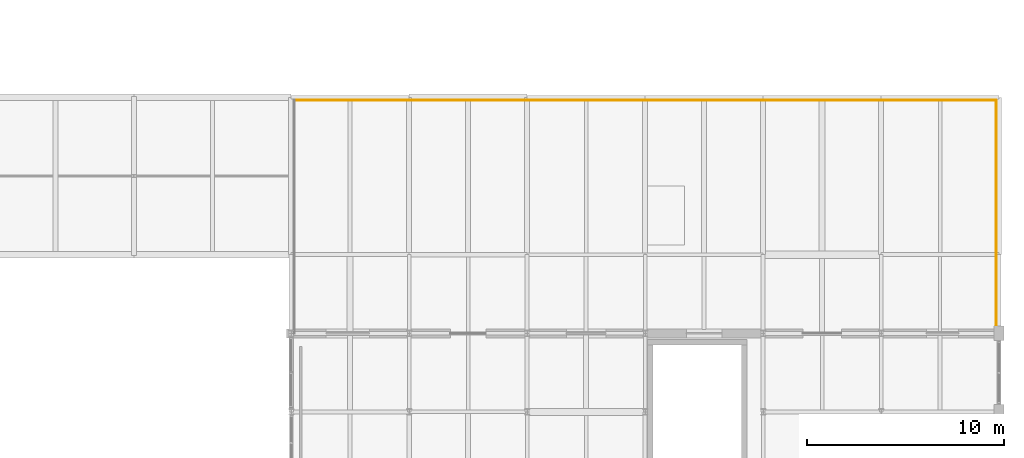
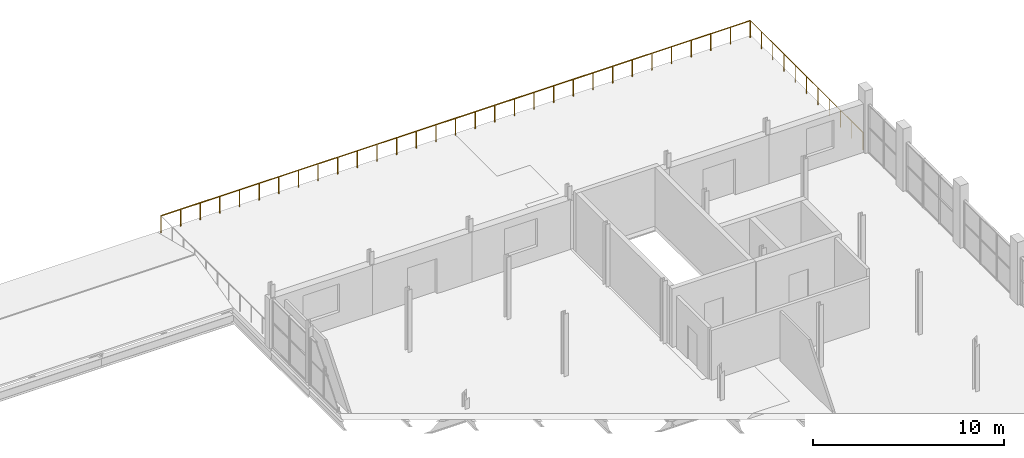
# One storey, part 96 of 96: 2 railings.
"""IFC4 building model written with IfcOpenShell, lengths in metres."""

from ifc_helpers import new_model, si_unit, direction, frame, origin, origin_2d, place, context, subcontext, project, spatial, circle, extrude, material, type_object, element, save


model = new_model("IFC4")

# Units and contexts
model_context = context("Model", 3, precision=1e-05, world=origin(), true_north=direction((0.0, 1.0)))
body_context = subcontext(model_context, "Body", "Model", "MODEL_VIEW")
ifc_project = project(units=[si_unit("LENGTHUNIT", "METRE"), si_unit("AREAUNIT", "SQUARE_METRE"), si_unit("VOLUMEUNIT", "CUBIC_METRE"), si_unit("PLANEANGLEUNIT", "RADIAN"), si_unit("MASSUNIT", "GRAM", prefix="KILO")], contexts=[model_context])

# Site, building, storey
site_placement = place(None, origin())
site = spatial("IfcSite", under=ifc_project, at=site_placement, CompositionType="ELEMENT")
building_placement = place(site_placement, origin())
building = spatial("IfcBuilding", under=site, at=building_placement, Name="Verrall Gate Interchange", CompositionType="ELEMENT")
storey_placement = place(building_placement, frame((0.0, 0.0, 11.39990234375)))
storey = spatial("IfcBuildingStorey", under=building, at=storey_placement, Name="L03", CompositionType="ELEMENT", Elevation=11.39990234375)

# Railings
ifc_material_1 = material(Name="Tyndall Dolomitic Limestone Ashlar Cavity Assembly (U=0.18)", Category="masonry")
railing_type_1 = type_object("IfcRailingType", Name="BL-01 Classical Stone Balustrade 1120", PredefinedType="BALUSTRADE", material=ifc_material_1)
railing_1_placement = place(storey_placement, frame((167.85009765625, 55.85009765625, 0.0)))
element("IfcRailing", 1, at=railing_1_placement, inside=storey, type_object=railing_type_1, Name="L03 Planted Roof Garden Guardrail 06", PredefinedType="BALUSTRADE", context=body_context, shape_type="SweptSolid", body=[
    extrude(circle(Radius=0.02392578125, at=origin_2d()), frame((0.0, 0.0, 1.09619140625), z_axis=(0.0, -1.0, 0.0), x_axis=(1.0, 0.0, 0.0)), (0.0, 0.0, 1.0), 11.85009765625),
    extrude(circle(Radius=0.02099609375, at=origin_2d()), origin(), (0.0, 0.0, 1.0), 1.072021484375),
    extrude(circle(Radius=0.02099609375, at=origin_2d()), frame((0.0, -1.18505859375, 0.0)), (0.0, 0.0, 1.0), 1.072021484375),
    extrude(circle(Radius=0.02099609375, at=origin_2d()), frame((0.0, -2.3701171875, 0.0)), (0.0, 0.0, 1.0), 1.072021484375),
    extrude(circle(Radius=0.02099609375, at=origin_2d()), frame((0.0, -3.554931640625, 0.0)), (0.0, 0.0, 1.0), 1.072021484375),
    extrude(circle(Radius=0.02099609375, at=origin_2d()), frame((0.0, -4.739990234375, 0.0)), (0.0, 0.0, 1.0), 1.072021484375),
    extrude(circle(Radius=0.02099609375, at=origin_2d()), frame((0.0, -5.925048828125, 0.0)), (0.0, 0.0, 1.0), 1.072021484375),
    extrude(circle(Radius=0.02099609375, at=origin_2d()), frame((0.0, -7.110107421875, 0.0)), (0.0, 0.0, 1.0), 1.072021484375),
    extrude(circle(Radius=0.02099609375, at=origin_2d()), frame((0.0, -8.295166015625, 0.0)), (0.0, 0.0, 1.0), 1.072021484375),
    extrude(circle(Radius=0.02099609375, at=origin_2d()), frame((0.0, -9.47998046875, 0.0)), (0.0, 0.0, 1.0), 1.072021484375),
    extrude(circle(Radius=0.02099609375, at=origin_2d()), frame((0.0, -10.6650390625, 0.0)), (0.0, 0.0, 1.0), 1.072021484375),
    extrude(circle(Radius=0.02099609375, at=origin_2d()), frame((0.0, -11.85009765625, 0.0)), (0.0, 0.0, 1.0), 1.072021484375),
])
ifc_material_2 = material(Name="Architectural Bronze Anodized Aluminium Guardrail Assembly", Category="aluminium")
railing_type_2 = type_object("IfcRailingType", Name="GR-01 Roof Terrace Guardrail 1100", PredefinedType="GUARDRAIL", material=ifc_material_2)
railing_2_placement = place(storey_placement, frame((132.14990234375, 55.85009765625, 0.0)))
element("IfcRailing", 2, at=railing_2_placement, inside=storey, type_object=railing_type_2, Name="L03 Planted Roof Garden Guardrail 05", PredefinedType="GUARDRAIL", context=body_context, shape_type="SweptSolid", body=[
    extrude(circle(Radius=0.02392578125, at=origin_2d()), frame((0.0, 0.0, 1.076171875), z_axis=(1.0, 0.0, 0.0), x_axis=(0.0, 1.0, 0.0)), (0.0, 0.0, 1.0), 35.7001953125),
    extrude(circle(Radius=0.02099609375, at=origin_2d()), origin(), (0.0, 0.0, 1.0), 1.052001953125),
    extrude(circle(Radius=0.02099609375, at=origin_2d()), frame((1.18994140625, 0.0, 0.0)), (0.0, 0.0, 1.0), 1.052001953125),
    extrude(circle(Radius=0.02099609375, at=origin_2d()), frame((2.380126953125, 0.0, 0.0)), (0.0, 0.0, 1.0), 1.052001953125),
    extrude(circle(Radius=0.02099609375, at=origin_2d()), frame((3.570068359375, 0.0, 0.0)), (0.0, 0.0, 1.0), 1.052001953125),
    extrude(circle(Radius=0.02099609375, at=origin_2d()), frame((4.760009765625, 0.0, 0.0)), (0.0, 0.0, 1.0), 1.052001953125),
    extrude(circle(Radius=0.02099609375, at=origin_2d()), frame((5.949951171875, 0.0, 0.0)), (0.0, 0.0, 1.0), 1.052001953125),
    extrude(circle(Radius=0.02099609375, at=origin_2d()), frame((7.14013671875, 0.0, 0.0)), (0.0, 0.0, 1.0), 1.052001953125),
    extrude(circle(Radius=0.02099609375, at=origin_2d()), frame((8.330078125, 0.0, 0.0)), (0.0, 0.0, 1.0), 1.052001953125),
    extrude(circle(Radius=0.02099609375, at=origin_2d()), frame((9.52001953125, 0.0, 0.0)), (0.0, 0.0, 1.0), 1.052001953125),
    extrude(circle(Radius=0.02099609375, at=origin_2d()), frame((10.7099609375, 0.0, 0.0)), (0.0, 0.0, 1.0), 1.052001953125),
    extrude(circle(Radius=0.02099609375, at=origin_2d()), frame((11.900146484375, 0.0, 0.0)), (0.0, 0.0, 1.0), 1.052001953125),
    extrude(circle(Radius=0.02099609375, at=origin_2d()), frame((13.090087890625, 0.0, 0.0)), (0.0, 0.0, 1.0), 1.052001953125),
    extrude(circle(Radius=0.02099609375, at=origin_2d()), frame((14.280029296875, 0.0, 0.0)), (0.0, 0.0, 1.0), 1.052001953125),
    extrude(circle(Radius=0.02099609375, at=origin_2d()), frame((15.469970703125, 0.0, 0.0)), (0.0, 0.0, 1.0), 1.052001953125),
    extrude(circle(Radius=0.02099609375, at=origin_2d()), frame((16.66015625, 0.0, 0.0)), (0.0, 0.0, 1.0), 1.052001953125),
    extrude(circle(Radius=0.02099609375, at=origin_2d()), frame((17.85009765625, 0.0, 0.0)), (0.0, 0.0, 1.0), 1.052001953125),
    extrude(circle(Radius=0.02099609375, at=origin_2d()), frame((19.0400390625, 0.0, 0.0)), (0.0, 0.0, 1.0), 1.052001953125),
    extrude(circle(Radius=0.02099609375, at=origin_2d()), frame((20.230224609375, 0.0, 0.0)), (0.0, 0.0, 1.0), 1.052001953125),
    extrude(circle(Radius=0.02099609375, at=origin_2d()), frame((21.420166015625, 0.0, 0.0)), (0.0, 0.0, 1.0), 1.052001953125),
    extrude(circle(Radius=0.02099609375, at=origin_2d()), frame((22.610107421875, 0.0, 0.0)), (0.0, 0.0, 1.0), 1.052001953125),
    extrude(circle(Radius=0.02099609375, at=origin_2d()), frame((23.800048828125, 0.0, 0.0)), (0.0, 0.0, 1.0), 1.052001953125),
    extrude(circle(Radius=0.02099609375, at=origin_2d()), frame((24.990234375, 0.0, 0.0)), (0.0, 0.0, 1.0), 1.052001953125),
    extrude(circle(Radius=0.02099609375, at=origin_2d()), frame((26.18017578125, 0.0, 0.0)), (0.0, 0.0, 1.0), 1.052001953125),
    extrude(circle(Radius=0.02099609375, at=origin_2d()), frame((27.3701171875, 0.0, 0.0)), (0.0, 0.0, 1.0), 1.052001953125),
    extrude(circle(Radius=0.02099609375, at=origin_2d()), frame((28.56005859375, 0.0, 0.0)), (0.0, 0.0, 1.0), 1.052001953125),
    extrude(circle(Radius=0.02099609375, at=origin_2d()), frame((29.750244140625, 0.0, 0.0)), (0.0, 0.0, 1.0), 1.052001953125),
    extrude(circle(Radius=0.02099609375, at=origin_2d()), frame((30.940185546875, 0.0, 0.0)), (0.0, 0.0, 1.0), 1.052001953125),
    extrude(circle(Radius=0.02099609375, at=origin_2d()), frame((32.130126953125, 0.0, 0.0)), (0.0, 0.0, 1.0), 1.052001953125),
    extrude(circle(Radius=0.02099609375, at=origin_2d()), frame((33.320068359375, 0.0, 0.0)), (0.0, 0.0, 1.0), 1.052001953125),
    extrude(circle(Radius=0.02099609375, at=origin_2d()), frame((34.51025390625, 0.0, 0.0)), (0.0, 0.0, 1.0), 1.052001953125),
    extrude(circle(Radius=0.02099609375, at=origin_2d()), frame((35.7001953125, 0.0, 0.0)), (0.0, 0.0, 1.0), 1.052001953125),
])

save(model, "model.ifc")
